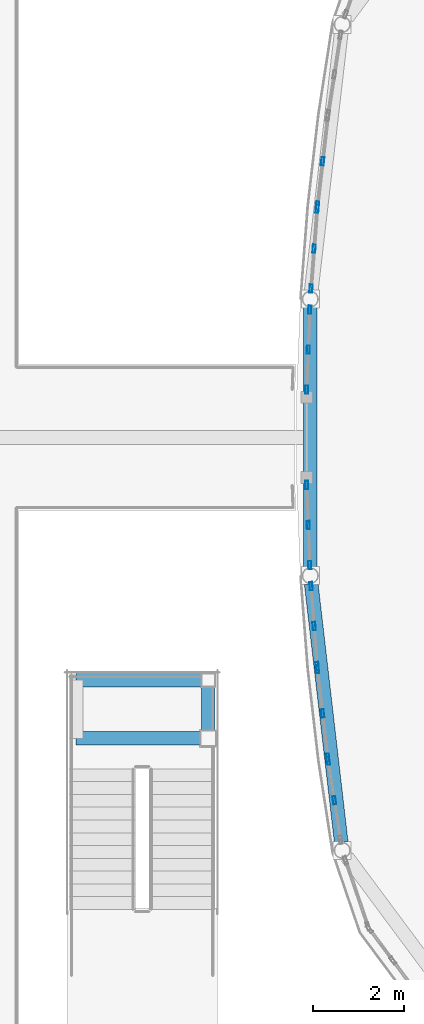
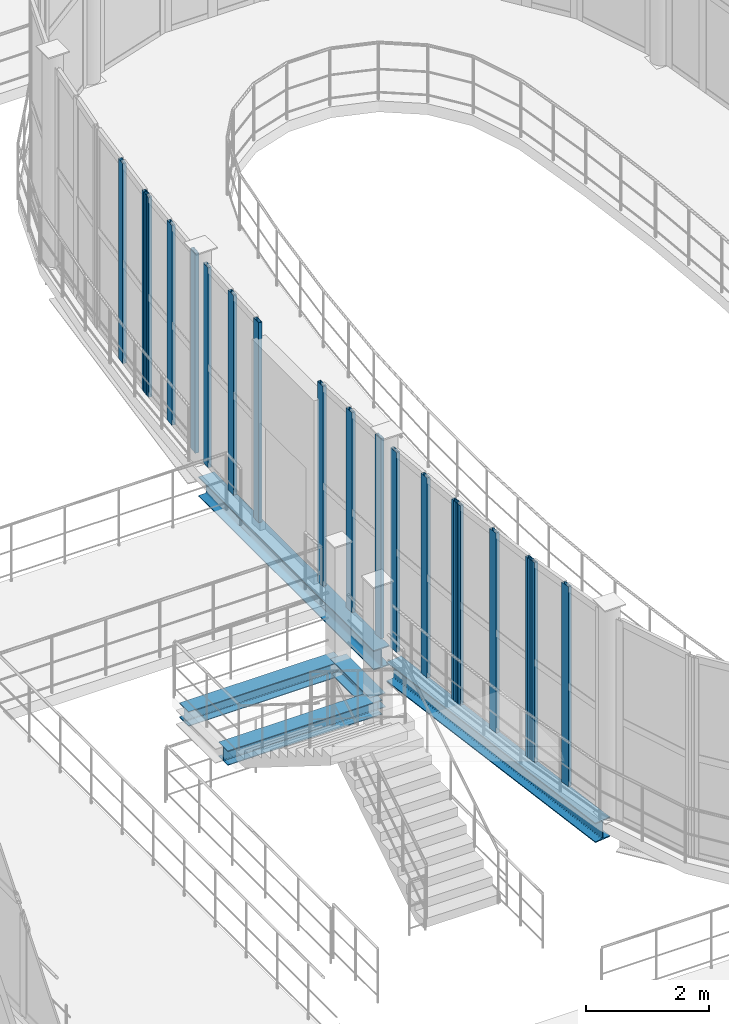
# One storey, part 41 of 138: 19 members, 5 beams, 7 elements without a shape of their own.
"""IFC4 building model written with IfcOpenShell, lengths in metres."""

from ifc_helpers import new_model, si_unit, direction, frame, origin, origin_2d, place, context, subcontext, project, spatial, hollow_rectangle, i_section, extrude, material, layer, layer_set, material_profile, profile_set, type_object, element, aggregate, save


model = new_model("IFC4")

# Units and contexts
model_context = context("Model", 3, precision=1e-05, world=origin(), true_north=direction((0.0, 1.0)))
body_context = subcontext(model_context, "Body", "Model", "MODEL_VIEW")
ifc_project = project(units=[si_unit("LENGTHUNIT", "METRE"), si_unit("AREAUNIT", "SQUARE_METRE"), si_unit("VOLUMEUNIT", "CUBIC_METRE"), si_unit("PLANEANGLEUNIT", "RADIAN"), si_unit("MASSUNIT", "GRAM", prefix="KILO")], contexts=[model_context])

# Site, building, storey
site_placement = place(None, origin())
site = spatial("IfcSite", under=ifc_project, at=site_placement, CompositionType="ELEMENT")
building_placement = place(site_placement, origin())
building = spatial("IfcBuilding", under=site, at=building_placement, Name="Vinh Khe Railworks Police Headquarters", CompositionType="ELEMENT")
storey_placement = place(building_placement, frame((0.0, 0.0, 9.0)))
storey = spatial("IfcBuildingStorey", under=building, at=storey_placement, Name="L02", CompositionType="ELEMENT", Elevation=9.0)

# Beams
ifc_material_1 = material(Name="Steel S355JR", Category="steel")
ifc_material_profile_1 = material_profile(ifc_material_1, i_section(OverallWidth=0.300048828125, OverallDepth=0.2900390625, WebThickness=0.008544921875, FlangeThickness=0.013916015625, FilletRadius=0.027099609375, at=origin_2d()), Name="HEA 300")
ifc_profile_set_1 = profile_set([ifc_material_profile_1], Name="Steel S355JR")
beam_type_1 = type_object("IfcBeamType", Name="Feature Stair Trimmer HEA 300", PredefinedType="BEAM", material=ifc_profile_set_1)
for number, where, z_axis, x_axis, name in (
    (1, (31.64990234375, 35.39990234375, 1.7548828125), (1.0, 0.0, 0.0), (0.0, 1.0, 0.0), "Feature Stair Landing Trimmer L02-1"),
    (2, (31.64990234375, 36.679931640625, 1.7548828125), (1.0, 0.0, 0.0), (0.0, 1.0, 0.0), "Feature Stair Landing Trimmer L02-2"),
):
    element("IfcBeam", number, at=place(storey_placement, frame(where, z_axis=z_axis, x_axis=x_axis)), inside=storey, type_object=beam_type_1, Name=name, PredefinedType="BEAM", context=body_context, shape_type="SweptSolid", body=[
        extrude(i_section(OverallWidth=0.300048828125, OverallDepth=0.2900390625, WebThickness=0.008544921875, FlangeThickness=0.013916015625, FilletRadius=0.027099609375, at=origin_2d()), origin(), (0.0, 0.0, 1.0), 2.900146484375),
    ])
beam_placement = place(storey_placement, frame((34.550048828125, 35.39990234375, 1.7548828125), z_axis=(0.0, 1.0, 0.0), x_axis=(-1.0, 0.0, 0.0)))
element("IfcBeam", 3, at=beam_placement, inside=storey, type_object=beam_type_1, Name="Feature Stair Landing Stringer Beam L02-2", PredefinedType="BEAM", context=body_context, shape_type="SweptSolid", body=[
    extrude(i_section(OverallWidth=0.300048828125, OverallDepth=0.2900390625, WebThickness=0.008544921875, FlangeThickness=0.013916015625, FilletRadius=0.027099609375, at=origin_2d()), origin(), (0.0, 0.0, 1.0), 1.280029296875),
])

# Curtain wall, members
ifc_material_2 = material(Name="Anodised aluminium and acoustic laminated glass", Category="aluminium")
ifc_layer = layer(ifc_material_2, 0.159912109375)
ifc_layer_set = layer_set([ifc_layer], Name="Anodised aluminium and acoustic laminated glass")
curtain_wall_type = type_object("IfcCurtainWallType", Name="CW-DRUM-CHORD", PredefinedType="USERDEFINED", material=ifc_layer_set)
curtain_wall_1_placement = place(storey_placement, origin())
curtain_wall_1 = element("IfcCurtainWall", 4, at=curtain_wall_1_placement, inside=storey, type_object=curtain_wall_type, Name="Elliptical Command Drum Glazing L02 Chord 20", ObjectType="DRUM FACADE GLAZING", PredefinedType="USERDEFINED")
ifc_material_3 = material(Name="Anodised aluminium 6063-T6", Category="aluminium")
ifc_material_profile_2 = material_profile(ifc_material_3, hollow_rectangle(XDim=0.06494140625, YDim=0.179931640625, WallThickness=0.0048828125, at=origin_2d()), Name="CW-M 65x180x5")
ifc_profile_set_2 = profile_set([ifc_material_profile_2], Name="Anodised aluminium 6063-T6")
member_type = type_object("IfcMemberType", Name="MULL-CWM-02", PredefinedType="MULLION", material=ifc_profile_set_2)
member_1_placement = place(storey_placement, frame((37.059814453125, 48.052978515625, 0.0), z_axis=(0.0, 0.0, 1.0), x_axis=(0.993328656296, -0.115317737498, 0.0)))
member_1 = element("IfcMember", 5, at=member_1_placement, type_object=member_type, Name="CW-02 mullion 2", PredefinedType="MULLION", context=body_context, shape_type="SweptSolid", body=[
    extrude(hollow_rectangle(XDim=0.06494140625, YDim=0.179931640625, WallThickness=0.0048828125, at=origin_2d()), origin(), (0.0, 0.0, 1.0), 3.969970703125),
])
member_2_placement = place(storey_placement, frame((36.947021484375, 47.080810546875, 0.0), z_axis=(0.0, 0.0, 1.0), x_axis=(0.993328656296, -0.115317737498, 0.0)))
member_2 = element("IfcMember", 6, at=member_2_placement, type_object=member_type, Name="CW-02 mullion 3", PredefinedType="MULLION", context=body_context, shape_type="SweptSolid", body=[
    extrude(hollow_rectangle(XDim=0.06494140625, YDim=0.179931640625, WallThickness=0.0048828125, at=origin_2d()), origin(), (0.0, 0.0, 1.0), 3.969970703125),
])
aggregate(curtain_wall_1, [member_1, member_2])

curtain_wall_2_placement = place(storey_placement, origin())
curtain_wall_2 = element("IfcCurtainWall", 7, at=curtain_wall_2_placement, inside=storey, type_object=curtain_wall_type, Name="Elliptical Command Drum Glazing L02 Chord 21", ObjectType="DRUM FACADE GLAZING", PredefinedType="USERDEFINED")
member_3_placement = place(storey_placement, frame((36.94091796875, 47.01611328125, 0.0), z_axis=(0.0, 0.0, 1.0), x_axis=(0.997033493224, -0.076968911839, 0.0)))
member_3 = element("IfcMember", 8, at=member_3_placement, type_object=member_type, Name="CW-02 mullion 1", PredefinedType="MULLION", context=body_context, shape_type="SweptSolid", body=[
    extrude(hollow_rectangle(XDim=0.06494140625, YDim=0.179931640625, WallThickness=0.0048828125, at=origin_2d()), origin(), (0.0, 0.0, 1.0), 3.969970703125),
])
member_4_placement = place(storey_placement, frame((36.873046875, 46.138916015625, 0.0), z_axis=(0.0, 0.0, 1.0), x_axis=(0.997033493224, -0.076968911839, 0.0)))
member_4 = element("IfcMember", 9, at=member_4_placement, type_object=member_type, Name="CW-02 mullion 2", PredefinedType="MULLION", context=body_context, shape_type="SweptSolid", body=[
    extrude(hollow_rectangle(XDim=0.06494140625, YDim=0.179931640625, WallThickness=0.0048828125, at=origin_2d()), origin(), (0.0, 0.0, 1.0), 3.969970703125),
])
member_5_placement = place(storey_placement, frame((36.805419921875, 45.26171875, 0.0), z_axis=(0.0, 0.0, 1.0), x_axis=(0.997033493224, -0.076968911839, 0.0)))
member_5 = element("IfcMember", 10, at=member_5_placement, type_object=member_type, Name="CW-02 mullion 3", PredefinedType="MULLION", context=body_context, shape_type="SweptSolid", body=[
    extrude(hollow_rectangle(XDim=0.06494140625, YDim=0.179931640625, WallThickness=0.0048828125, at=origin_2d()), origin(), (0.0, 0.0, 1.0), 3.969970703125),
])
aggregate(curtain_wall_2, [member_3, member_4, member_5])

curtain_wall_3_placement = place(storey_placement, origin())
curtain_wall_3 = element("IfcCurtainWall", 11, at=curtain_wall_3_placement, inside=storey, type_object=curtain_wall_type, Name="Elliptical Command Drum Glazing L02 Chord 22", ObjectType="DRUM FACADE GLAZING", PredefinedType="USERDEFINED")
member_6_placement = place(storey_placement, frame((36.77880859375, 44.802001953125, 0.0), z_axis=(0.0, 0.0, 1.0), x_axis=(0.999258111354, -0.038512684833, 0.0)))
member_6 = element("IfcMember", 12, at=member_6_placement, type_object=member_type, Name="CW-02 mullion 1", PredefinedType="MULLION", context=body_context, shape_type="SweptSolid", body=[
    extrude(hollow_rectangle(XDim=0.06494140625, YDim=0.179931640625, WallThickness=0.0048828125, at=origin_2d()), origin(), (0.0, 0.0, 1.0), 3.969970703125),
])
member_7_placement = place(storey_placement, frame((36.744873046875, 43.9228515625, 0.0), z_axis=(0.0, 0.0, 1.0), x_axis=(0.999258111354, -0.038512684833, 0.0)))
member_7 = element("IfcMember", 13, at=member_7_placement, type_object=member_type, Name="CW-02 mullion 2", PredefinedType="MULLION", context=body_context, shape_type="SweptSolid", body=[
    extrude(hollow_rectangle(XDim=0.06494140625, YDim=0.179931640625, WallThickness=0.0048828125, at=origin_2d()), origin(), (0.0, 0.0, 1.0), 3.969970703125),
])
member_8_placement = place(storey_placement, frame((36.7109375, 43.043701171875, 0.0), z_axis=(0.0, 0.0, 1.0), x_axis=(0.999258111354, -0.038512684833, 0.0)))
member_8 = element("IfcMember", 14, at=member_8_placement, type_object=member_type, Name="CW-02 mullion 3", PredefinedType="MULLION", context=body_context, shape_type="SweptSolid", body=[
    extrude(hollow_rectangle(XDim=0.06494140625, YDim=0.179931640625, WallThickness=0.0048828125, at=origin_2d()), origin(), (0.0, 0.0, 1.0), 3.969970703125),
])
aggregate(curtain_wall_3, [member_6, member_7, member_8])

curtain_wall_4_placement = place(storey_placement, origin())
curtain_wall_4 = element("IfcCurtainWall", 15, at=curtain_wall_4_placement, inside=storey, type_object=curtain_wall_type, Name="Elliptical Command Drum Glazing L02 Chord 24", ObjectType="DRUM FACADE GLAZING", PredefinedType="USERDEFINED")
member_9_placement = place(storey_placement, frame((36.7109375, 40.956298828125, 0.0), z_axis=(0.0, 0.0, 1.0), x_axis=(0.999258111354, 0.038512684833, 0.0)))
member_9 = element("IfcMember", 16, at=member_9_placement, type_object=member_type, Name="CW-02 mullion 1", PredefinedType="MULLION", context=body_context, shape_type="SweptSolid", body=[
    extrude(hollow_rectangle(XDim=0.06494140625, YDim=0.179931640625, WallThickness=0.0048828125, at=origin_2d()), origin(), (0.0, 0.0, 1.0), 3.969970703125),
])
member_10_placement = place(storey_placement, frame((36.744873046875, 40.0771484375, 0.0), z_axis=(0.0, 0.0, 1.0), x_axis=(0.999258111354, 0.038512684833, 0.0)))
member_10 = element("IfcMember", 17, at=member_10_placement, type_object=member_type, Name="CW-02 mullion 2", PredefinedType="MULLION", context=body_context, shape_type="SweptSolid", body=[
    extrude(hollow_rectangle(XDim=0.06494140625, YDim=0.179931640625, WallThickness=0.0048828125, at=origin_2d()), origin(), (0.0, 0.0, 1.0), 3.969970703125),
])
member_11_placement = place(storey_placement, frame((36.77880859375, 39.197998046875, 0.0), z_axis=(0.0, 0.0, 1.0), x_axis=(0.999258111354, 0.038512684833, 0.0)))
member_11 = element("IfcMember", 18, at=member_11_placement, type_object=member_type, Name="CW-02 mullion 3", PredefinedType="MULLION", context=body_context, shape_type="SweptSolid", body=[
    extrude(hollow_rectangle(XDim=0.06494140625, YDim=0.179931640625, WallThickness=0.0048828125, at=origin_2d()), origin(), (0.0, 0.0, 1.0), 3.969970703125),
])
aggregate(curtain_wall_4, [member_9, member_10, member_11])

curtain_wall_5_placement = place(storey_placement, origin())
curtain_wall_5 = element("IfcCurtainWall", 19, at=curtain_wall_5_placement, inside=storey, type_object=curtain_wall_type, Name="Elliptical Command Drum Glazing L02 Chord 25", ObjectType="DRUM FACADE GLAZING", PredefinedType="USERDEFINED")
member_12_placement = place(storey_placement, frame((36.805419921875, 38.73828125, 0.0), z_axis=(0.0, 0.0, 1.0), x_axis=(0.997033493224, 0.076968911839, 0.0)))
member_12 = element("IfcMember", 20, at=member_12_placement, type_object=member_type, Name="CW-02 mullion 1", PredefinedType="MULLION", context=body_context, shape_type="SweptSolid", body=[
    extrude(hollow_rectangle(XDim=0.06494140625, YDim=0.179931640625, WallThickness=0.0048828125, at=origin_2d()), origin(), (0.0, 0.0, 1.0), 3.969970703125),
])
member_13_placement = place(storey_placement, frame((36.873046875, 37.861083984375, 0.0), z_axis=(0.0, 0.0, 1.0), x_axis=(0.997033493224, 0.076968911839, 0.0)))
member_13 = element("IfcMember", 21, at=member_13_placement, type_object=member_type, Name="CW-02 mullion 2", PredefinedType="MULLION", context=body_context, shape_type="SweptSolid", body=[
    extrude(hollow_rectangle(XDim=0.06494140625, YDim=0.179931640625, WallThickness=0.0048828125, at=origin_2d()), origin(), (0.0, 0.0, 1.0), 3.969970703125),
])
member_14_placement = place(storey_placement, frame((36.94091796875, 36.98388671875, 0.0), z_axis=(0.0, 0.0, 1.0), x_axis=(0.997033493224, 0.076968911839, 0.0)))
member_14 = element("IfcMember", 22, at=member_14_placement, type_object=member_type, Name="CW-02 mullion 3", PredefinedType="MULLION", context=body_context, shape_type="SweptSolid", body=[
    extrude(hollow_rectangle(XDim=0.06494140625, YDim=0.179931640625, WallThickness=0.0048828125, at=origin_2d()), origin(), (0.0, 0.0, 1.0), 3.969970703125),
])
aggregate(curtain_wall_5, [member_12, member_13, member_14])

curtain_wall_6_placement = place(storey_placement, origin())
curtain_wall_6 = element("IfcCurtainWall", 23, at=curtain_wall_6_placement, inside=storey, type_object=curtain_wall_type, Name="Elliptical Command Drum Glazing L02 Chord 26", ObjectType="DRUM FACADE GLAZING", PredefinedType="USERDEFINED")
member_15_placement = place(storey_placement, frame((36.947021484375, 36.919189453125, 0.0), z_axis=(0.0, 0.0, 1.0), x_axis=(0.993328656296, 0.115317737498, 0.0)))
member_15 = element("IfcMember", 24, at=member_15_placement, type_object=member_type, Name="CW-02 mullion 1", PredefinedType="MULLION", context=body_context, shape_type="SweptSolid", body=[
    extrude(hollow_rectangle(XDim=0.06494140625, YDim=0.179931640625, WallThickness=0.0048828125, at=origin_2d()), origin(), (0.0, 0.0, 1.0), 3.969970703125),
])
member_16_placement = place(storey_placement, frame((37.059814453125, 35.947021484375, 0.0), z_axis=(0.0, 0.0, 1.0), x_axis=(0.993328656296, 0.115317737498, 0.0)))
member_16 = element("IfcMember", 25, at=member_16_placement, type_object=member_type, Name="CW-02 mullion 2", PredefinedType="MULLION", context=body_context, shape_type="SweptSolid", body=[
    extrude(hollow_rectangle(XDim=0.06494140625, YDim=0.179931640625, WallThickness=0.0048828125, at=origin_2d()), origin(), (0.0, 0.0, 1.0), 3.969970703125),
])
member_17_placement = place(storey_placement, frame((37.1728515625, 34.974853515625, 0.0), z_axis=(0.0, 0.0, 1.0), x_axis=(0.993328656296, 0.115317737498, 0.0)))
member_17 = element("IfcMember", 26, at=member_17_placement, type_object=member_type, Name="CW-02 mullion 3", PredefinedType="MULLION", context=body_context, shape_type="SweptSolid", body=[
    extrude(hollow_rectangle(XDim=0.06494140625, YDim=0.179931640625, WallThickness=0.0048828125, at=origin_2d()), origin(), (0.0, 0.0, 1.0), 3.969970703125),
])
aggregate(curtain_wall_6, [member_15, member_16, member_17])

curtain_wall_7_placement = place(storey_placement, origin())
curtain_wall_7 = element("IfcCurtainWall", 27, at=curtain_wall_7_placement, inside=storey, type_object=curtain_wall_type, Name="Elliptical Command Drum Glazing L02 Chord 27", ObjectType="DRUM FACADE GLAZING", PredefinedType="USERDEFINED")
member_18_placement = place(storey_placement, frame((37.181396484375, 34.910400390625, 0.0), z_axis=(0.0, 0.0, 1.0), x_axis=(0.988150166575, 0.153490222159, 0.0)))
member_18 = element("IfcMember", 28, at=member_18_placement, type_object=member_type, Name="CW-02 mullion 1", PredefinedType="MULLION", context=body_context, shape_type="SweptSolid", body=[
    extrude(hollow_rectangle(XDim=0.06494140625, YDim=0.179931640625, WallThickness=0.0048828125, at=origin_2d()), origin(), (0.0, 0.0, 1.0), 3.969970703125),
])
member_19_placement = place(storey_placement, frame((37.316650390625, 34.041015625, 0.0), z_axis=(0.0, 0.0, 1.0), x_axis=(0.988150166575, 0.153490222159, 0.0)))
member_19 = element("IfcMember", 29, at=member_19_placement, type_object=member_type, Name="CW-02 mullion 2", PredefinedType="MULLION", context=body_context, shape_type="SweptSolid", body=[
    extrude(hollow_rectangle(XDim=0.06494140625, YDim=0.179931640625, WallThickness=0.0048828125, at=origin_2d()), origin(), (0.0, 0.0, 1.0), 3.969970703125),
])
aggregate(curtain_wall_7, [member_18, member_19])

# Beams
ifc_material_profile_3 = material_profile(ifc_material_1, i_section(OverallWidth=0.300048828125, OverallDepth=0.389892578125, WebThickness=0.010986328125, FlangeThickness=0.01904296875, FilletRadius=0.027099609375, at=origin_2d()), Name="HEA 400")
ifc_profile_set_3 = profile_set([ifc_material_profile_3], Name="Steel S355JR")
beam_type_2 = type_object("IfcBeamType", Name="Steel Girder HEA 400", PredefinedType="BEAM", material=ifc_profile_set_3)
for number, where, z_axis, x_axis, name in (
    (30, (36.80859375, 38.785888671875, -0.4150390625), (0.115349444921, -0.993324974798, 0.0), (0.993324974798, 0.115349444921, 0.0), "Drum Ring Girder BM-L02-DRUM-SB-14-1019"),
    (31, (36.78759765625, 44.848876953125, -0.4150390625), (0.0, -1.0, 0.0), (1.0, 0.0, 0.0), "Drum Ring Girder BM-L02-DRUM-SB-14-1030"),
):
    element("IfcBeam", number, at=place(storey_placement, frame(where, z_axis=z_axis, x_axis=x_axis)), inside=storey, type_object=beam_type_2, Name=name, PredefinedType="BEAM", context=body_context, shape_type="SweptSolid", body=[
        extrude(i_section(OverallWidth=0.300048828125, OverallDepth=0.389892578125, WebThickness=0.010986328125, FlangeThickness=0.01904296875, FilletRadius=0.027099609375, at=origin_2d()), origin(), (0.0, 0.0, 1.0), 5.69775390625),
    ])

save(model, "model.ifc")
